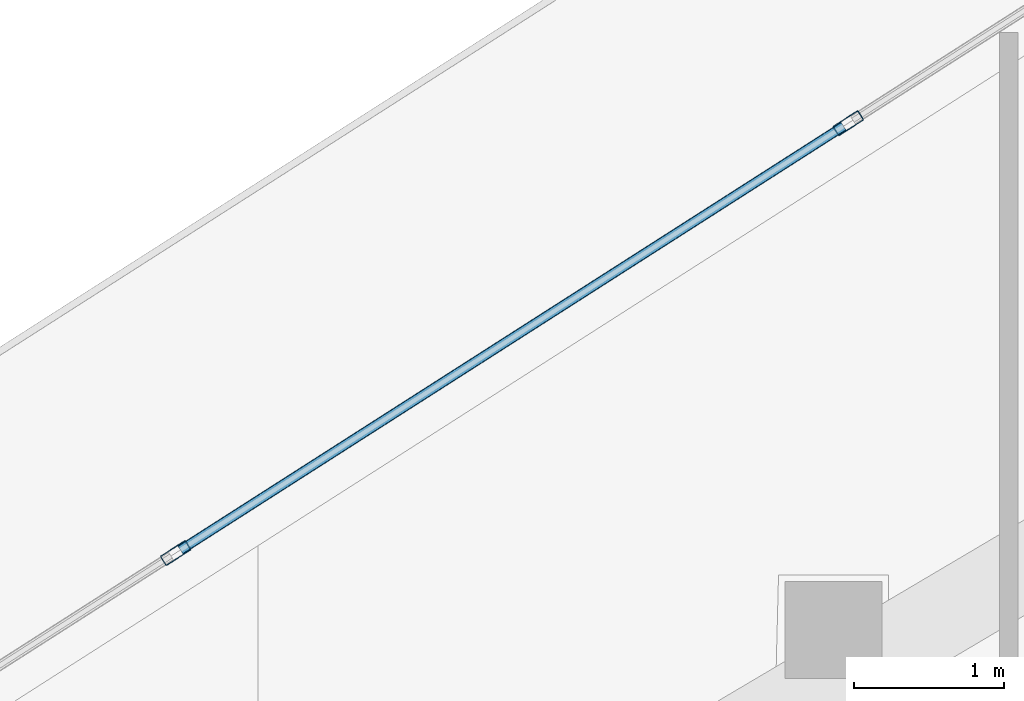
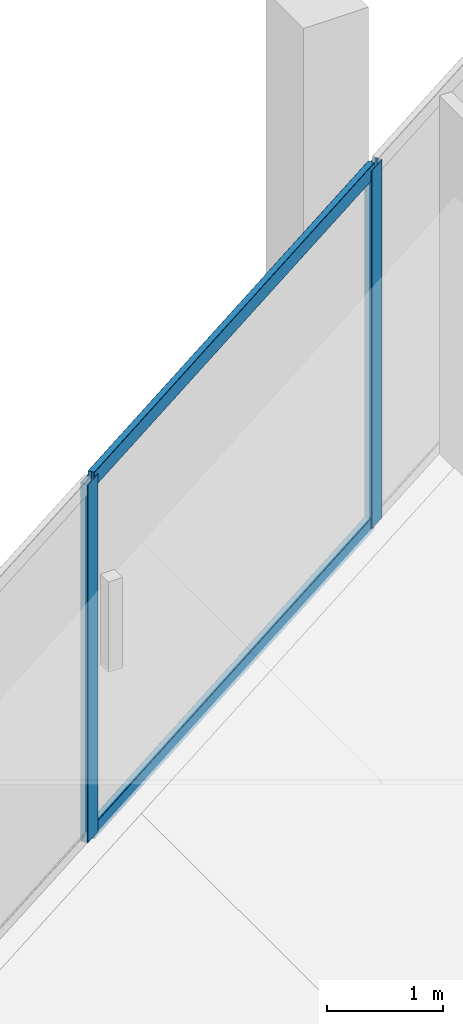
# One storey, part 16 of 38: 4 members, 1 element without a shape of its own.
"""IFC4 building model written with IfcOpenShell, lengths in metres."""

from ifc_helpers import new_model, si_unit, direction, frame, origin, origin_2d, place, context, subcontext, project, spatial, hollow_rectangle, extrude, material, layer, layer_set, material_profile, profile_set, type_object, element, aggregate, save


model = new_model("IFC4")

# Units and contexts
model_context = context("Model", 3, precision=1e-05, world=origin(), true_north=direction((0.0, 1.0)))
body_context = subcontext(model_context, "Body", "Model", "MODEL_VIEW")
ifc_project = project(units=[si_unit("LENGTHUNIT", "METRE"), si_unit("AREAUNIT", "SQUARE_METRE"), si_unit("VOLUMEUNIT", "CUBIC_METRE"), si_unit("PLANEANGLEUNIT", "RADIAN"), si_unit("MASSUNIT", "GRAM", prefix="KILO")], contexts=[model_context])

# Site, building, storey
site_placement = place(None, origin())
site = spatial("IfcSite", under=ifc_project, at=site_placement, CompositionType="ELEMENT")
building_placement = place(site_placement, origin())
building = spatial("IfcBuilding", under=site, at=building_placement, Name="Qorvath Tower", CompositionType="ELEMENT")
storey_placement = place(building_placement, frame((0.0, 0.0, 158.39990234375)))
storey = spatial("IfcBuildingStorey", under=building, at=storey_placement, Name="L36", CompositionType="ELEMENT", Elevation=158.39990234375)

# Curtain wall, members
ifc_material_1 = material(Name="Anodised aluminium and triple low-E glass", Category="aluminium")
ifc_layer = layer(ifc_material_1, 0.179931640625)
ifc_layer_set = layer_set([ifc_layer], Name="CW-SYS-5")
curtain_wall_type = type_object("IfcCurtainWallType", Name="CW-SYS-5", PredefinedType="NOTDEFINED", material=ifc_layer_set)
curtain_wall_placement = place(storey_placement, origin())
curtain_wall = element("IfcCurtainWall", 1, at=curtain_wall_placement, inside=storey, type_object=curtain_wall_type, Name="Curtain Wall CW-5 CW-T-L36-16.2", PredefinedType="NOTDEFINED")
ifc_material_2 = material(Name="Anodised aluminium 6063-T6", Category="aluminium")
ifc_material_profile_1 = material_profile(ifc_material_2, hollow_rectangle(XDim=0.074951171875, YDim=0.199951171875, WallThickness=0.00390625, InnerFilletRadius=0.00390625, OuterFilletRadius=0.008056640625, at=origin_2d()), Name="CWM 200x75")
ifc_profile_set_1 = profile_set([ifc_material_profile_1], Name="Anodised aluminium 6063-T6")
member_type_1 = type_object("IfcMemberType", Name="CWM-200", PredefinedType="MULLION", material=ifc_profile_set_1)
member_1_placement = place(storey_placement, frame((-35.8818359375, 16.76904296875, 0.0), z_axis=(0.0, 0.0, 1.0), x_axis=(0.53853949052, -0.842600271273, 0.0)))
member_1 = element("IfcMember", 2, at=member_1_placement, type_object=member_type_1, Name="CW-5 mullion 2", PredefinedType="MULLION", context=body_context, shape_type="SweptSolid", body=[
    extrude(hollow_rectangle(XDim=0.074951171875, YDim=0.199951171875, WallThickness=0.00390625, InnerFilletRadius=0.00390625, OuterFilletRadius=0.008056640625, at=origin_2d()), origin(), (0.0, 0.0, 1.0), 3.780029296875),
])
member_2_placement = place(storey_placement, frame((-40.377685546875, 13.895751953125, 0.0), z_axis=(0.0, 0.0, 1.0), x_axis=(0.53853949052, -0.842600271273, 0.0)))
member_2 = element("IfcMember", 3, at=member_2_placement, type_object=member_type_1, Name="CW-5 mullion 3", PredefinedType="MULLION", context=body_context, shape_type="SweptSolid", body=[
    extrude(hollow_rectangle(XDim=0.074951171875, YDim=0.199951171875, WallThickness=0.00390625, InnerFilletRadius=0.00390625, OuterFilletRadius=0.008056640625, at=origin_2d()), origin(), (0.0, 0.0, 1.0), 3.780029296875),
])
ifc_material_3 = material(Name="Anodised aluminium 6063-T6", Category="aluminium")
ifc_material_profile_2 = material_profile(ifc_material_3, hollow_rectangle(XDim=0.06494140625, YDim=0.159912109375, WallThickness=0.00341796875, InnerFilletRadius=0.00341796875, OuterFilletRadius=0.007080078125, at=origin_2d()), Name="CWT 160x65")
ifc_profile_set_2 = profile_set([ifc_material_profile_2], Name="Anodised aluminium 6063-T6")
member_type_2 = type_object("IfcMemberType", Name="CWT-160", PredefinedType="USERDEFINED", material=ifc_profile_set_2)
member_3_placement = place(storey_placement, frame((-35.913330078125, 16.7490234375, 0.032470703125), z_axis=(-0.842583946797, -0.538565030986, 0.0), x_axis=(0.538565030986, -0.842583946797, 0.0)))
member_3 = element("IfcMember", 4, at=member_3_placement, type_object=member_type_2, Name="CW-5 transom 2.1", ObjectType="TRANSOM", PredefinedType="USERDEFINED", context=body_context, shape_type="SweptSolid", body=[
    extrude(hollow_rectangle(XDim=0.06494140625, YDim=0.159912109375, WallThickness=0.00341796875, InnerFilletRadius=0.00341796875, OuterFilletRadius=0.007080078125, at=origin_2d()), origin(), (0.0, 0.0, 1.0), 5.2607421875),
])
member_4_placement = place(storey_placement, frame((-35.913330078125, 16.7490234375, 3.74755859375), z_axis=(-0.842583946797, -0.538565030986, 0.0), x_axis=(0.538565030986, -0.842583946797, 0.0)))
member_4 = element("IfcMember", 5, at=member_4_placement, type_object=member_type_2, Name="CW-5 transom 2.2", ObjectType="TRANSOM", PredefinedType="USERDEFINED", context=body_context, shape_type="SweptSolid", body=[
    extrude(hollow_rectangle(XDim=0.06494140625, YDim=0.159912109375, WallThickness=0.00341796875, InnerFilletRadius=0.00341796875, OuterFilletRadius=0.007080078125, at=origin_2d()), origin(), (0.0, 0.0, 1.0), 5.2607421875),
])
aggregate(curtain_wall, [member_1, member_2, member_3, member_4])

save(model, "model.ifc")
